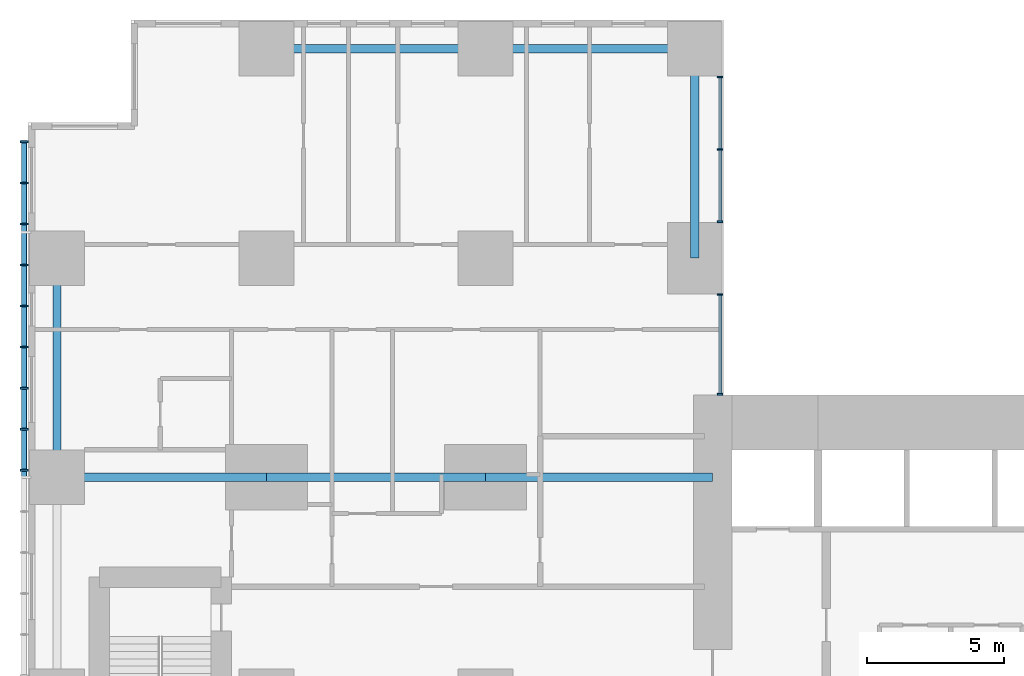
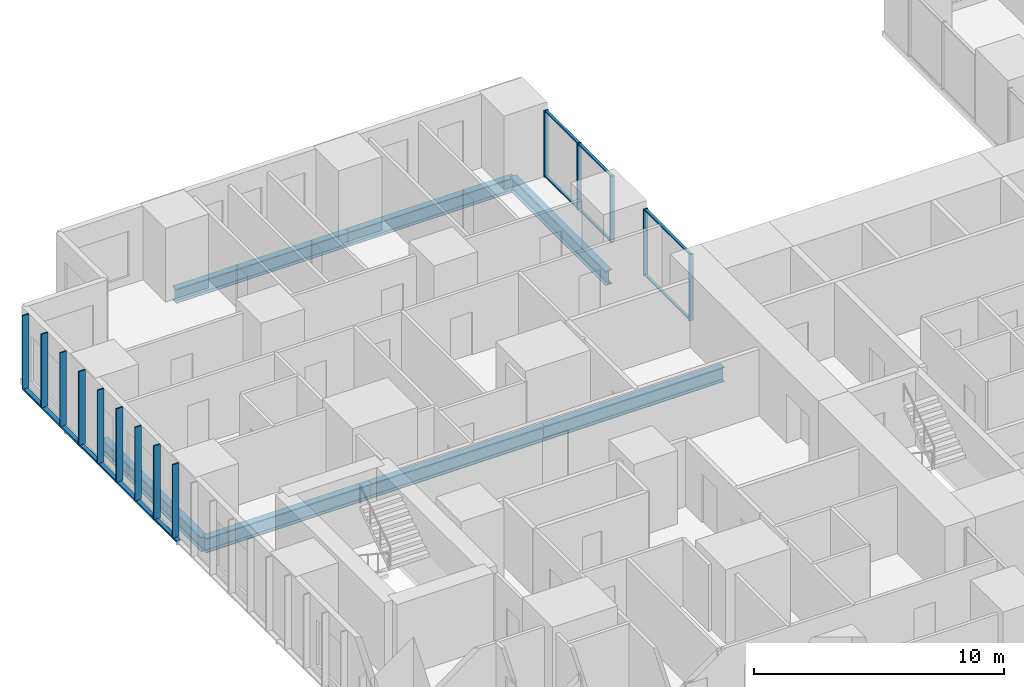
# One storey, part 4 of 20: 21 members, 7 beams, 2 elements without a shape of their own.
"""IFC4 building model written with IfcOpenShell, lengths in metres."""

from ifc_helpers import new_model, si_unit, direction, frame, origin, origin_2d, place, context, subcontext, project, spatial, rectangle, hollow_rectangle, i_section, extrude, material, layer, layer_set, material_profile, profile_set, type_object, element, aggregate, save


model = new_model("IFC4")

# Units and contexts
model_context = context("Model", 3, precision=1e-05, world=origin(), true_north=direction((0.0, 1.0)))
body_context = subcontext(model_context, "Body", "Model", "MODEL_VIEW")
ifc_project = project(units=[si_unit("LENGTHUNIT", "METRE"), si_unit("AREAUNIT", "SQUARE_METRE"), si_unit("VOLUMEUNIT", "CUBIC_METRE"), si_unit("PLANEANGLEUNIT", "RADIAN"), si_unit("MASSUNIT", "GRAM", prefix="KILO")], contexts=[model_context])

# Site, building, storey
site_placement = place(None, origin())
site = spatial("IfcSite", under=ifc_project, at=site_placement, CompositionType="ELEMENT")
building_placement = place(site_placement, origin())
building = spatial("IfcBuilding", under=site, at=building_placement, Name="Cleftline Residences", CompositionType="ELEMENT")
storey_placement = place(building_placement, frame((0.0, 0.0, 168.199951171875)))
storey = spatial("IfcBuildingStorey", under=building, at=storey_placement, Name="L44", CompositionType="ELEMENT", Elevation=168.199951171875)

# Member
ifc_material_1 = material(Name="Steel S355, hot-dip galvanised", Category="steel")
ifc_material_profile_1 = material_profile(ifc_material_1, hollow_rectangle(XDim=0.10009765625, YDim=0.199951171875, WallThickness=0.008056640625, InnerFilletRadius=0.008056640625, OuterFilletRadius=0.011962890625, at=origin_2d()))
ifc_profile_set_1 = profile_set([ifc_material_profile_1], Name="Steel S355, hot-dip galvanised")
member_type_1 = type_object("IfcMemberType", Name="BAGUETTE CARRIER RHS 200X100X8", PredefinedType="USERDEFINED", material=ifc_profile_set_1)
member_1_placement = place(storey_placement, frame((-0.85009765625, 44.300048828125, -0.050048828125), z_axis=(0.0, -1.0, 0.0), x_axis=(0.0, 0.0, 1.0)))
element("IfcMember", 1, at=member_1_placement, inside=storey, type_object=member_type_1, Name="Baguette carrier", ObjectType="BAGUETTE CARRIER", PredefinedType="USERDEFINED", context=body_context, shape_type="SweptSolid", body=[
    extrude(hollow_rectangle(XDim=0.10009765625, YDim=0.199951171875, WallThickness=0.008056640625, InnerFilletRadius=0.008056640625, OuterFilletRadius=0.011962890625, at=origin_2d()), origin(), (0.0, 0.0, 1.0), 12.300048828125),
])

# Beams
ifc_material_2 = material(Name="Steel S355", Category="steel")
ifc_material_profile_2 = material_profile(ifc_material_2, i_section(OverallWidth=0.300048828125, OverallDepth=0.699951171875, WebThickness=0.01708984375, FlangeThickness=0.031982421875, FilletRadius=0.027099609375, at=origin_2d()))
ifc_profile_set_2 = profile_set([ifc_material_profile_2], Name="Steel S355")
beam_type_1 = type_object("IfcBeamType", Name="BEAM HEB 700", PredefinedType="BEAM", material=ifc_profile_set_2)
for number, where, z_axis, x_axis, name in (
    (2, (0.35009765625, 32.0, -0.599853515625), (0.0, 1.0, 0.0), (-1.0, 0.0, 0.0), "Edge beam"),
    (3, (8.0, 47.64990234375, -0.599853515625), (1.0, 0.0, 0.0), (0.0, 1.0, 0.0), "Edge beam"),
):
    element("IfcBeam", number, at=place(storey_placement, frame(where, z_axis=z_axis, x_axis=x_axis)), inside=storey, type_object=beam_type_1, Name=name, PredefinedType="BEAM", context=body_context, shape_type="SweptSolid", body=[
        extrude(i_section(OverallWidth=0.300048828125, OverallDepth=0.699951171875, WebThickness=0.01708984375, FlangeThickness=0.031982421875, FilletRadius=0.027099609375, at=origin_2d()), origin(), (0.0, 0.0, 1.0), 8.0),
    ])
for number, where, z_axis, x_axis, name in (
    (4, (16.0, 47.64990234375, -0.599853515625), (1.0, 0.0, 0.0), (0.0, 1.0, 0.0), "Edge beam"),
    (5, (23.64990234375, 47.64990234375, -0.599853515625), (0.0, -1.0, 0.0), (1.0, 0.0, 0.0), "Edge beam"),
):
    element("IfcBeam", number, at=place(storey_placement, frame(where, z_axis=z_axis, x_axis=x_axis)), inside=storey, type_object=beam_type_1, Name=name, PredefinedType="BEAM", context=body_context, shape_type="SweptSolid", body=[
        extrude(i_section(OverallWidth=0.300048828125, OverallDepth=0.699951171875, WebThickness=0.01708984375, FlangeThickness=0.031982421875, FilletRadius=0.027099609375, at=origin_2d()), origin(), (0.0, 0.0, 1.0), 7.64990234375),
    ])
ifc_material_3 = material(Name="Steel S355", Category="steel")
ifc_material_profile_3 = material_profile(ifc_material_3, i_section(OverallWidth=0.303955078125, OverallDepth=0.716064453125, WebThickness=0.02099609375, FlangeThickness=0.0400390625, FilletRadius=0.027099609375, at=origin_2d()))
ifc_profile_set_3 = profile_set([ifc_material_profile_3], Name="Steel S355")
beam_type_2 = type_object("IfcBeamType", Name="BEAM HEM 700", PredefinedType="BEAM", material=ifc_profile_set_3)
beam_1_placement = place(storey_placement, frame((0.35009765625, 32.0, -0.60791015625), z_axis=(1.0, 0.0, 0.0), x_axis=(0.0, 1.0, 0.0)))
element("IfcBeam", 6, at=beam_1_placement, inside=storey, type_object=beam_type_2, Name="Band beam", PredefinedType="BEAM", context=body_context, shape_type="SweptSolid", body=[
    extrude(i_section(OverallWidth=0.303955078125, OverallDepth=0.716064453125, WebThickness=0.02099609375, FlangeThickness=0.0400390625, FilletRadius=0.027099609375, at=origin_2d()), origin(), (0.0, 0.0, 1.0), 7.64990234375),
])
beam_2_placement = place(storey_placement, frame((8.0, 32.0, -0.60791015625), z_axis=(1.0, 0.0, 0.0), x_axis=(0.0, 1.0, 0.0)))
element("IfcBeam", 7, at=beam_2_placement, inside=storey, type_object=beam_type_2, Name="Band beam", PredefinedType="BEAM", context=body_context, shape_type="SweptSolid", body=[
    extrude(i_section(OverallWidth=0.303955078125, OverallDepth=0.716064453125, WebThickness=0.02099609375, FlangeThickness=0.0400390625, FilletRadius=0.027099609375, at=origin_2d()), origin(), (0.0, 0.0, 1.0), 8.0),
])
beam_3_placement = place(storey_placement, frame((16.0, 32.0, -0.60791015625), z_axis=(1.0, 0.0, 0.0), x_axis=(0.0, 1.0, 0.0)))
element("IfcBeam", 8, at=beam_3_placement, inside=storey, type_object=beam_type_2, Name="Band beam", PredefinedType="BEAM", context=body_context, shape_type="SweptSolid", body=[
    extrude(i_section(OverallWidth=0.303955078125, OverallDepth=0.716064453125, WebThickness=0.02099609375, FlangeThickness=0.0400390625, FilletRadius=0.027099609375, at=origin_2d()), origin(), (0.0, 0.0, 1.0), 8.300048828125),
])

# Curtain wall, members
ifc_material_4 = material(Name="Aluminium framed curtain wall", Category="aluminium")
ifc_layer = layer(ifc_material_4, 0.199951171875)
ifc_layer_set = layer_set([ifc_layer], Name="CW1 CLEFT GLAZING")
curtain_wall_type = type_object("IfcCurtainWallType", Name="CW1 CLEFT GLAZING", PredefinedType="NOTDEFINED", material=ifc_layer_set)
curtain_wall_1_placement = place(storey_placement, origin())
curtain_wall_1 = element("IfcCurtainWall", 9, at=curtain_wall_1_placement, inside=storey, type_object=curtain_wall_type, Name="Curtain wall CW1", PredefinedType="NOTDEFINED")
ifc_material_5 = material(Name="Aluminium mullion", Category="aluminium")
ifc_material_profile_4 = material_profile(ifc_material_5, rectangle(XDim=0.199951171875, YDim=0.06005859375, at=origin_2d()))
ifc_profile_set_4 = profile_set([ifc_material_profile_4], Name="Aluminium mullion")
member_type_2 = type_object("IfcMemberType", Name="CW1 MULLION", PredefinedType="MULLION", material=ifc_profile_set_4)
member_2_placement = place(storey_placement, frame((24.574951171875, 35.030029296875, 0.0), z_axis=(0.0, 0.0, 1.0), x_axis=(-1.0, 0.0, 0.0)))
member_2 = element("IfcMember", 10, at=member_2_placement, type_object=member_type_2, Name="CW1 mullion 1", PredefinedType="MULLION", context=body_context, shape_type="SweptSolid", body=[
    extrude(rectangle(XDim=0.199951171875, YDim=0.06005859375, at=origin_2d()), origin(), (0.0, 0.0, 1.0), 3.25),
])
member_3_placement = place(storey_placement, frame((24.574951171875, 38.669921875, 0.0), z_axis=(0.0, 0.0, 1.0), x_axis=(-1.0, 0.0, 0.0)))
member_3 = element("IfcMember", 11, at=member_3_placement, type_object=member_type_2, Name="CW1 mullion 2", PredefinedType="MULLION", context=body_context, shape_type="SweptSolid", body=[
    extrude(rectangle(XDim=0.199951171875, YDim=0.06005859375, at=origin_2d()), origin(), (0.0, 0.0, 1.0), 3.25),
])

curtain_wall_2_placement = place(storey_placement, origin())
curtain_wall_2 = element("IfcCurtainWall", 12, at=curtain_wall_2_placement, inside=storey, type_object=curtain_wall_type, Name="Curtain wall CW1", PredefinedType="NOTDEFINED")
member_4_placement = place(storey_placement, frame((24.574951171875, 41.330078125, 0.0), z_axis=(0.0, 0.0, 1.0), x_axis=(-1.0, 0.0, 0.0)))
member_4 = element("IfcMember", 13, at=member_4_placement, type_object=member_type_2, Name="CW1 mullion 1", PredefinedType="MULLION", context=body_context, shape_type="SweptSolid", body=[
    extrude(rectangle(XDim=0.199951171875, YDim=0.06005859375, at=origin_2d()), origin(), (0.0, 0.0, 1.0), 3.25),
])
member_5_placement = place(storey_placement, frame((24.574951171875, 43.97509765625, 0.0), z_axis=(0.0, 0.0, 1.0), x_axis=(-1.0, 0.0, 0.0)))
member_5 = element("IfcMember", 14, at=member_5_placement, type_object=member_type_2, Name="CW1 mullion 2", PredefinedType="MULLION", context=body_context, shape_type="SweptSolid", body=[
    extrude(rectangle(XDim=0.199951171875, YDim=0.06005859375, at=origin_2d()), origin(), (0.0, 0.0, 1.0), 3.25),
])
member_6_placement = place(storey_placement, frame((24.574951171875, 46.6201171875, 0.0), z_axis=(0.0, 0.0, 1.0), x_axis=(-1.0, 0.0, 0.0)))
member_6 = element("IfcMember", 15, at=member_6_placement, type_object=member_type_2, Name="CW1 mullion 3", PredefinedType="MULLION", context=body_context, shape_type="SweptSolid", body=[
    extrude(rectangle(XDim=0.199951171875, YDim=0.06005859375, at=origin_2d()), origin(), (0.0, 0.0, 1.0), 3.25),
])

# Member
ifc_material_6 = material(Name="Aluminium transom", Category="aluminium")
ifc_material_profile_5 = material_profile(ifc_material_6, rectangle(XDim=0.1201171875, YDim=0.06005859375, at=origin_2d()))
ifc_profile_set_5 = profile_set([ifc_material_profile_5], Name="Aluminium transom")
member_type_3 = type_object("IfcMemberType", Name="CW1 TRANSOM", PredefinedType="USERDEFINED", material=ifc_profile_set_5)
member_7_placement = place(storey_placement, frame((24.574951171875, 35.06005859375, 0.030029296875), z_axis=(0.0, 1.0, 0.0), x_axis=(-1.0, 0.0, 0.0)))
member_7 = element("IfcMember", 16, at=member_7_placement, type_object=member_type_3, Name="CW1 transom 1.1", ObjectType="TRANSOM", PredefinedType="USERDEFINED", context=body_context, shape_type="SweptSolid", body=[
    extrude(rectangle(XDim=0.1201171875, YDim=0.06005859375, at=origin_2d()), origin(), (0.0, 0.0, 1.0), 3.579833984375),
])

member_8_placement = place(storey_placement, frame((24.574951171875, 35.06005859375, 3.219970703125), z_axis=(0.0, 1.0, 0.0), x_axis=(-1.0, 0.0, 0.0)))
member_8 = element("IfcMember", 17, at=member_8_placement, type_object=member_type_3, Name="CW1 transom 1.2", ObjectType="TRANSOM", PredefinedType="USERDEFINED", context=body_context, shape_type="SweptSolid", body=[
    extrude(rectangle(XDim=0.1201171875, YDim=0.06005859375, at=origin_2d()), origin(), (0.0, 0.0, 1.0), 3.579833984375),
])

aggregate(curtain_wall_1, [member_2, member_3, member_7, member_8])

member_9_placement = place(storey_placement, frame((24.574951171875, 41.360107421875, 0.030029296875), z_axis=(0.0, 1.0, 0.0), x_axis=(-1.0, 0.0, 0.0)))
member_9 = element("IfcMember", 18, at=member_9_placement, type_object=member_type_3, Name="CW1 transom 1.1", ObjectType="TRANSOM", PredefinedType="USERDEFINED", context=body_context, shape_type="SweptSolid", body=[
    extrude(rectangle(XDim=0.1201171875, YDim=0.06005859375, at=origin_2d()), origin(), (0.0, 0.0, 1.0), 2.5849609375),
])

member_10_placement = place(storey_placement, frame((24.574951171875, 41.360107421875, 3.219970703125), z_axis=(0.0, 1.0, 0.0), x_axis=(-1.0, 0.0, 0.0)))
member_10 = element("IfcMember", 19, at=member_10_placement, type_object=member_type_3, Name="CW1 transom 1.2", ObjectType="TRANSOM", PredefinedType="USERDEFINED", context=body_context, shape_type="SweptSolid", body=[
    extrude(rectangle(XDim=0.1201171875, YDim=0.06005859375, at=origin_2d()), origin(), (0.0, 0.0, 1.0), 2.5849609375),
])

member_11_placement = place(storey_placement, frame((24.574951171875, 44.0048828125, 0.030029296875), z_axis=(0.0, 1.0, 0.0), x_axis=(-1.0, 0.0, 0.0)))
member_11 = element("IfcMember", 20, at=member_11_placement, type_object=member_type_3, Name="CW1 transom 2.1", ObjectType="TRANSOM", PredefinedType="USERDEFINED", context=body_context, shape_type="SweptSolid", body=[
    extrude(rectangle(XDim=0.1201171875, YDim=0.06005859375, at=origin_2d()), origin(), (0.0, 0.0, 1.0), 2.585205078125),
])

member_12_placement = place(storey_placement, frame((24.574951171875, 44.0048828125, 3.219970703125), z_axis=(0.0, 1.0, 0.0), x_axis=(-1.0, 0.0, 0.0)))
member_12 = element("IfcMember", 21, at=member_12_placement, type_object=member_type_3, Name="CW1 transom 2.2", ObjectType="TRANSOM", PredefinedType="USERDEFINED", context=body_context, shape_type="SweptSolid", body=[
    extrude(rectangle(XDim=0.1201171875, YDim=0.06005859375, at=origin_2d()), origin(), (0.0, 0.0, 1.0), 2.585205078125),
])

aggregate(curtain_wall_2, [member_4, member_5, member_6, member_9, member_10, member_11, member_12])

# Members
ifc_material_7 = material(Name="Extruded terracotta", Category="masonry")
ifc_material_profile_6 = material_profile(ifc_material_7, rectangle(XDim=0.06005859375, YDim=0.300048828125, at=origin_2d()))
ifc_profile_set_6 = profile_set([ifc_material_profile_6], Name="Extruded terracotta")
member_type_4 = type_object("IfcMemberType", Name="TERRACOTTA BAGUETTE 60X300", PredefinedType="USERDEFINED", material=ifc_profile_set_6)
for number, where, z_axis, x_axis, name in (
    (22, (-0.85009765625, 44.25, 0.0), (0.0, 0.0, 1.0), (0.0, 1.0, 0.0), "Terracotta baguette"),
    (23, (-0.85009765625, 42.75, 0.0), (0.0, 0.0, 1.0), (0.0, 1.0, 0.0), "Terracotta baguette"),
    (24, (-0.85009765625, 41.25, 0.0), (0.0, 0.0, 1.0), (0.0, 1.0, 0.0), "Terracotta baguette"),
    (25, (-0.85009765625, 39.75, 0.0), (0.0, 0.0, 1.0), (0.0, 1.0, 0.0), "Terracotta baguette"),
    (26, (-0.85009765625, 38.25, 0.0), (0.0, 0.0, 1.0), (0.0, 1.0, 0.0), "Terracotta baguette"),
    (27, (-0.85009765625, 36.75, 0.0), (0.0, 0.0, 1.0), (0.0, 1.0, 0.0), "Terracotta baguette"),
    (28, (-0.85009765625, 35.25, 0.0), (0.0, 0.0, 1.0), (0.0, 1.0, 0.0), "Terracotta baguette"),
    (29, (-0.85009765625, 33.75, 0.0), (0.0, 0.0, 1.0), (0.0, 1.0, 0.0), "Terracotta baguette"),
    (30, (-0.85009765625, 32.25, 0.0), (0.0, 0.0, 1.0), (0.0, 1.0, 0.0), "Terracotta baguette"),
):
    element("IfcMember", number, at=place(storey_placement, frame(where, z_axis=z_axis, x_axis=x_axis)), inside=storey, type_object=member_type_4, Name=name, ObjectType="BAGUETTE", PredefinedType="USERDEFINED", context=body_context, shape_type="SweptSolid", body=[
        extrude(rectangle(XDim=0.06005859375, YDim=0.300048828125, at=origin_2d()), origin(), (0.0, 0.0, 1.0), 3.60009765625),
    ])

save(model, "model.ifc")
